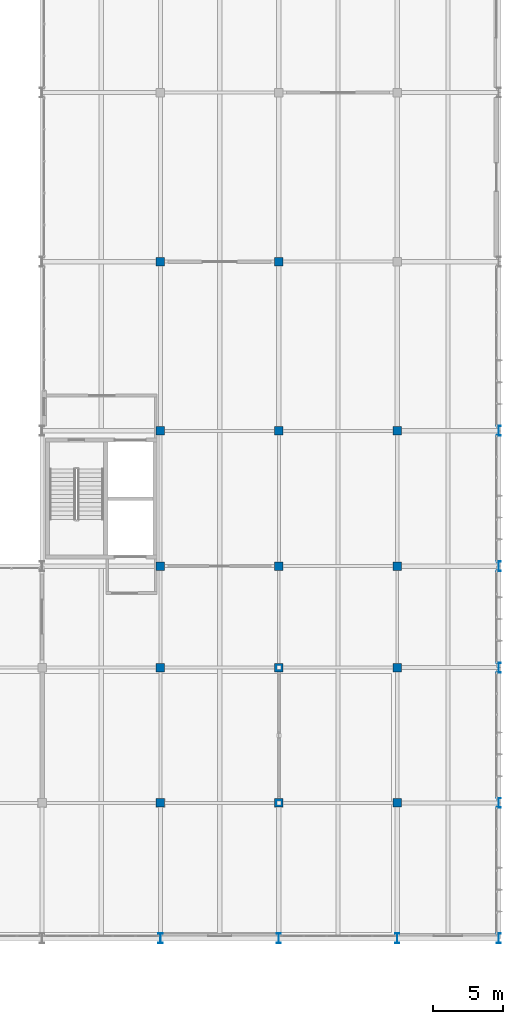
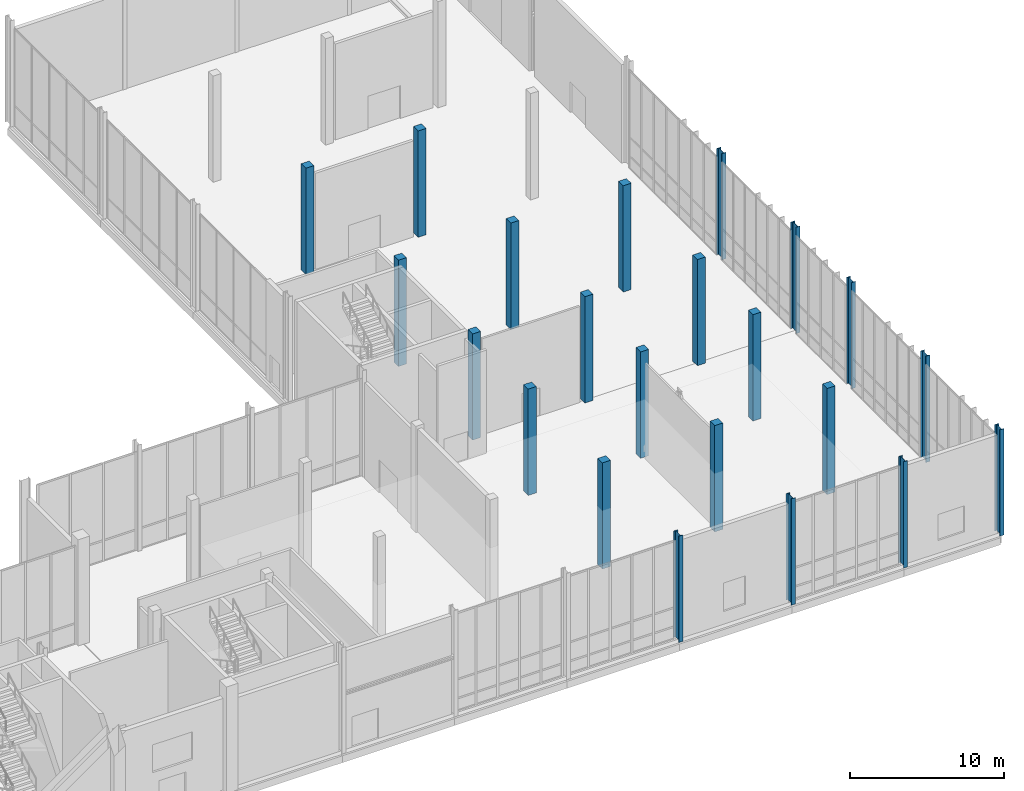
# One storey, part 13 of 131: 22 columns.
"""IFC4 building model written with IfcOpenShell, lengths in metres."""

from ifc_helpers import new_model, si_unit, direction, frame, origin, origin_2d, place, context, subcontext, project, spatial, rectangle, i_section, extrude, material, material_profile, profile_set, type_object, element, save


model = new_model("IFC4")

# Units and contexts
model_context = context("Model", 3, precision=1e-05, world=origin(), true_north=direction((0.0, 1.0)))
body_context = subcontext(model_context, "Body", "Model", "MODEL_VIEW")
ifc_project = project(units=[si_unit("LENGTHUNIT", "METRE"), si_unit("AREAUNIT", "SQUARE_METRE"), si_unit("VOLUMEUNIT", "CUBIC_METRE"), si_unit("PLANEANGLEUNIT", "RADIAN"), si_unit("MASSUNIT", "GRAM", prefix="KILO")], contexts=[model_context])

# Site, building, storey
site_placement = place(None, origin())
site = spatial("IfcSite", under=ifc_project, at=site_placement, CompositionType="ELEMENT")
building_placement = place(site_placement, origin())
building = spatial("IfcBuilding", under=site, at=building_placement, Name="Veltarok Museum of Natural Sciences", CompositionType="ELEMENT")
storey_placement = place(building_placement, origin())
storey = spatial("IfcBuildingStorey", under=building, at=storey_placement, Name="L00", CompositionType="ELEMENT", Elevation=0.0)

# Columns
ifc_material_1 = material(Name="Concrete C40/50", Category="concrete")
ifc_material_profile_1 = material_profile(ifc_material_1, rectangle(XDim=0.60009765625, YDim=0.60009765625, at=origin_2d()), Name="RC 600x600")
ifc_profile_set_1 = profile_set([ifc_material_profile_1], Name="Concrete C40/50")
column_type_1 = type_object("IfcColumnType", Name="Conservation Wing Column RC 600x600", PredefinedType="COLUMN", material=ifc_profile_set_1)
for number, where, z_axis, x_axis, name in (
    (1, (140.800048828125, 9.60009765625, 0.0), (0.0, 0.0, 1.0), (1.0, 0.0, 0.0), "Column COL-RC02 L00 17/B"),
    (2, (140.800048828125, 19.199951171875, 0.0), (0.0, 0.0, 1.0), (1.0, 0.0, 0.0), "Column COL-RC02 L00 17/C"),
    (3, (140.800048828125, 26.39990234375, 0.0), (0.0, 0.0, 1.0), (1.0, 0.0, 0.0), "Column COL-RC02 L00 17/D"),
    (4, (140.800048828125, 36.0, 0.0), (0.0, 0.0, 1.0), (1.0, 0.0, 0.0), "Column COL-RC02 L00 17/E"),
    (5, (140.800048828125, 48.0, 0.0), (0.0, 0.0, 1.0), (1.0, 0.0, 0.0), "Column COL-RC02 L00 17/F"),
    (6, (149.199951171875, 9.60009765625, 0.0), (0.0, 0.0, 1.0), (1.0, 0.0, 0.0), "Column COL-RC02 L00 18/B"),
    (7, (149.199951171875, 19.199951171875, 0.0), (0.0, 0.0, 1.0), (1.0, 0.0, 0.0), "Column COL-RC02 L00 18/C"),
    (8, (149.199951171875, 26.39990234375, 0.0), (0.0, 0.0, 1.0), (1.0, 0.0, 0.0), "Column COL-RC02 L00 18/D"),
    (9, (149.199951171875, 36.0, 0.0), (0.0, 0.0, 1.0), (1.0, 0.0, 0.0), "Column COL-RC02 L00 18/E"),
    (10, (149.199951171875, 48.0, 0.0), (0.0, 0.0, 1.0), (1.0, 0.0, 0.0), "Column COL-RC02 L00 18/F"),
    (11, (157.60009765625, 9.60009765625, 0.0), (0.0, 0.0, 1.0), (1.0, 0.0, 0.0), "Column COL-RC02 L00 19/B"),
    (12, (157.60009765625, 19.199951171875, 0.0), (0.0, 0.0, 1.0), (1.0, 0.0, 0.0), "Column COL-RC02 L00 19/C"),
    (13, (157.60009765625, 26.39990234375, 0.0), (0.0, 0.0, 1.0), (1.0, 0.0, 0.0), "Column COL-RC02 L00 19/D"),
    (14, (157.60009765625, 36.0, 0.0), (0.0, 0.0, 1.0), (1.0, 0.0, 0.0), "Column COL-RC02 L00 19/E"),
):
    element("IfcColumn", number, at=place(storey_placement, frame(where, z_axis=z_axis, x_axis=x_axis)), inside=storey, type_object=column_type_1, Name=name, PredefinedType="COLUMN", context=body_context, shape_type="SweptSolid", body=[
        extrude(rectangle(XDim=0.60009765625, YDim=0.60009765625, at=origin_2d()), origin(), (0.0, 0.0, 1.0), 8.39990234375),
    ])
ifc_material_2 = material(Name="Steel S355J2", Category="steel")
ifc_material_profile_2 = material_profile(ifc_material_2, i_section(OverallWidth=0.300048828125, OverallDepth=0.699951171875, WebThickness=0.01708984375, FlangeThickness=0.031982421875, FilletRadius=0.027099609375, at=origin_2d()), Name="HEB 700")
ifc_profile_set_2 = profile_set([ifc_material_profile_2], Name="Steel S355J2")
column_type_2 = type_object("IfcColumnType", Name="Perimeter Steel Column HEB 700", PredefinedType="COLUMN", material=ifc_profile_set_2)
for number, where, z_axis, x_axis, name in (
    (15, (140.800048828125, 0.0, 0.0), (0.0, 0.0, 1.0), (1.0, 0.0, 0.0), "Column COL-EXT01 L00 17/A"),
    (16, (149.199951171875, 0.0, 0.0), (0.0, 0.0, 1.0), (1.0, 0.0, 0.0), "Column COL-EXT01 L00 18/A"),
    (17, (157.60009765625, 0.0, 0.0), (0.0, 0.0, 1.0), (1.0, 0.0, 0.0), "Column COL-EXT01 L00 19/A"),
    (18, (164.800048828125, 0.0, 0.0), (0.0, 0.0, 1.0), (1.0, 0.0, 0.0), "Column COL-EXT01 L00 20/A"),
    (19, (164.800048828125, 9.60009765625, 0.0), (0.0, 0.0, 1.0), (1.0, 0.0, 0.0), "Column COL-EXT01 L00 20/B"),
    (20, (164.800048828125, 19.199951171875, 0.0), (0.0, 0.0, 1.0), (1.0, 0.0, 0.0), "Column COL-EXT01 L00 20/C"),
    (21, (164.800048828125, 26.39990234375, 0.0), (0.0, 0.0, 1.0), (1.0, 0.0, 0.0), "Column COL-EXT01 L00 20/D"),
    (22, (164.800048828125, 36.0, 0.0), (0.0, 0.0, 1.0), (1.0, 0.0, 0.0), "Column COL-EXT01 L00 20/E"),
):
    element("IfcColumn", number, at=place(storey_placement, frame(where, z_axis=z_axis, x_axis=x_axis)), inside=storey, type_object=column_type_2, Name=name, PredefinedType="COLUMN", context=body_context, shape_type="SweptSolid", body=[
        extrude(i_section(OverallWidth=0.300048828125, OverallDepth=0.699951171875, WebThickness=0.01708984375, FlangeThickness=0.031982421875, FilletRadius=0.027099609375, at=origin_2d()), origin(), (0.0, 0.0, 1.0), 8.39990234375),
    ])

save(model, "model.ifc")
